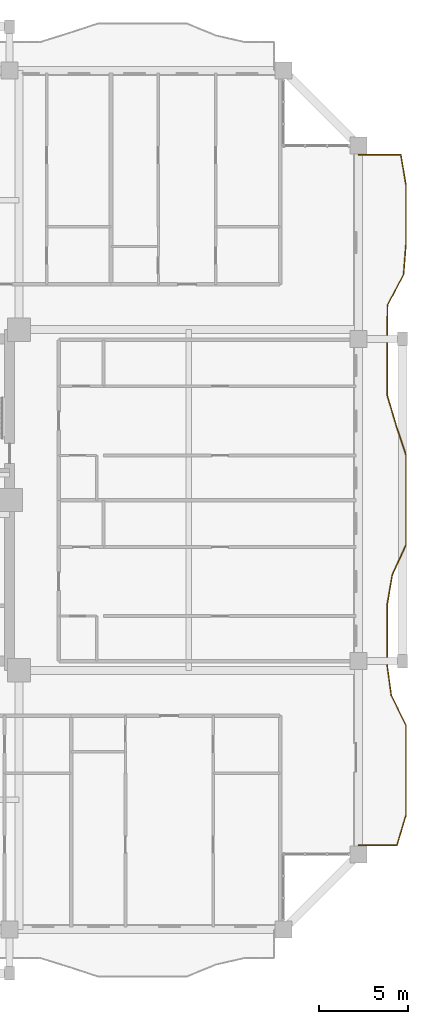
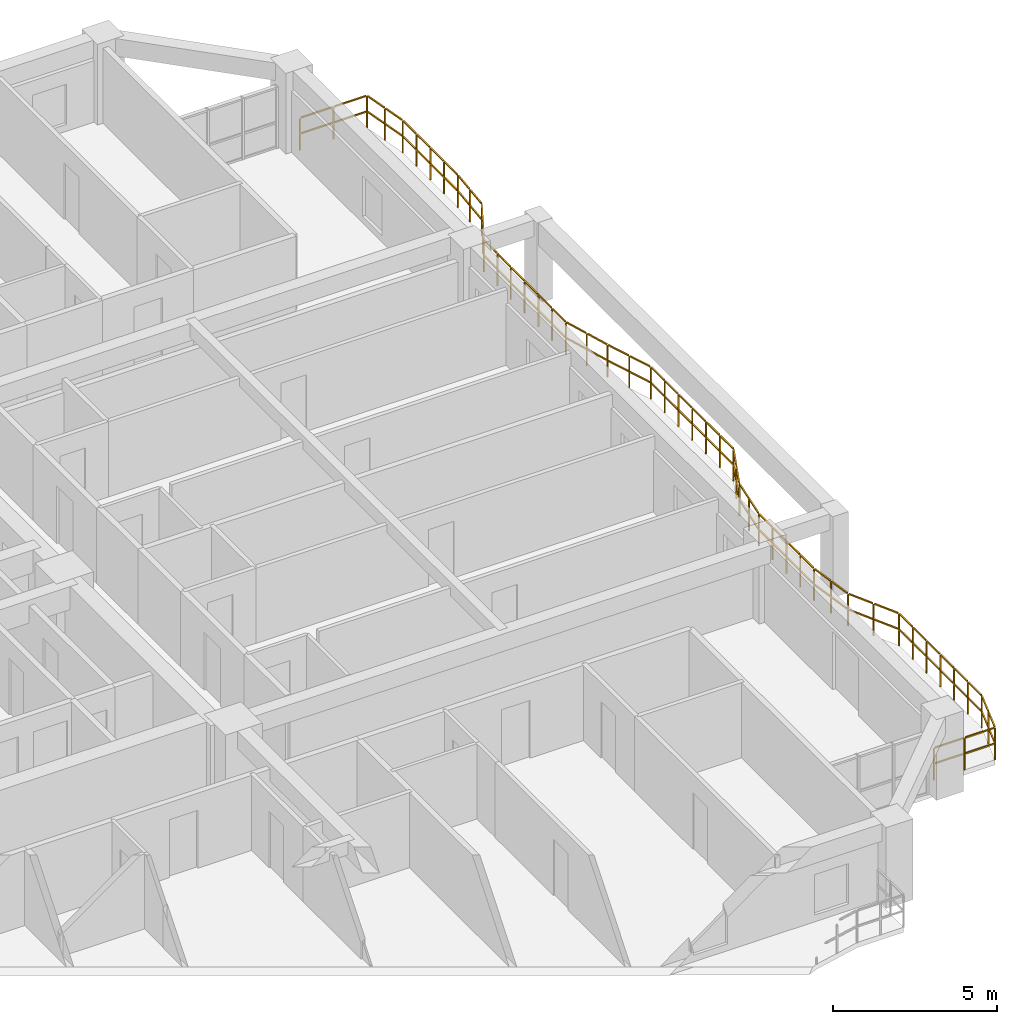
# One storey, part 25 of 26: 1 railing.
"""IFC4 building model written with IfcOpenShell, lengths in metres."""

import ifcopenshell
import ifcopenshell.guid

model = None  # the IFC model being written
_history = None  # IfcOwnerHistory: only IFC2X3 demands one
_inside = {}  # id of a spatial element -> (the spatial element, [elements in it])
_under = {}  # id of a project, library or spatial element -> (it, [spatial elements below it])
_declared = {}  # id of a project -> (the project, [libraries it declares])
_typed = {}  # id of a type object -> (the type object, [elements of that type])
_made_of = {}  # id of a material, layer set ... -> (it, [elements and type objects made of it])


def new_model(schema):
    """Start an empty IFC model of exactly this schema.

    Asked for "IFC4X3", IfcOpenShell would pick the latest addendum, in which some entities
    have other attributes; the version numbers below select the first issue.
    IFC2X3 requires an IfcOwnerHistory on every rooted entity: one is made here for all.
    """
    global model, _history
    if schema == "IFC4X3":
        model = ifcopenshell.file(schema_version=(4, 3, 0, 0))
    else:
        model = ifcopenshell.file(schema=schema)
    _inside.clear()
    _under.clear()
    _declared.clear()
    _typed.clear()
    _made_of.clear()
    _history = None
    if model.schema == "IFC2X3":
        org = make("IfcOrganization", Name="unknown")
        user = make(
            "IfcPersonAndOrganization",
            ThePerson=make("IfcPerson", FamilyName="unknown"),
            TheOrganization=org,
        )
        app = make(
            "IfcApplication",
            ApplicationDeveloper=org,
            Version="unknown",
            ApplicationFullName="unknown",
            ApplicationIdentifier="unknown",
        )
        _history = make(
            "IfcOwnerHistory",
            OwningUser=user,
            OwningApplication=app,
            ChangeAction="ADDED",
            CreationDate=0,
        )
    return model


def make(cls, **values):
    """One entity of the class cls with the attributes given. An attribute that is None is left unset."""
    return model.create_entity(
        cls, **{name: value for name, value in values.items() if value is not None}
    )


def rooted(cls, **values):
    """An entity with a GlobalId (a new one), such as an element, a storey or a relation."""
    return make(cls, GlobalId=ifcopenshell.guid.new(), OwnerHistory=_history, **values)


def si_unit(unit_type, name, prefix=None):
    """IfcSIUnit, for example si_unit("LENGTHUNIT", "METRE", prefix="MILLI")."""
    return make("IfcSIUnit", UnitType=unit_type, Prefix=prefix, Name=name)


def assignment(units):
    """IfcUnitAssignment: the units of a project."""
    return None if units is None else make("IfcUnitAssignment", Units=units)


def point(xyz):
    """IfcCartesianPoint."""
    return None if xyz is None else make("IfcCartesianPoint", Coordinates=xyz)


def direction(xyz):
    """IfcDirection."""
    return None if xyz is None else make("IfcDirection", DirectionRatios=xyz)


def frame(location, z_axis=None, x_axis=None):
    """IfcAxis2Placement3D, a coordinate frame: its origin and axes. An axis left out is left unset."""
    return make(
        "IfcAxis2Placement3D",
        Location=point(location),
        Axis=direction(z_axis),
        RefDirection=direction(x_axis),
    )


def frame_2d(location, x_axis=None):
    """IfcAxis2Placement2D, a coordinate frame in the plane: its origin and x axis."""
    return make(
        "IfcAxis2Placement2D", Location=point(location), RefDirection=direction(x_axis)
    )


def origin():
    """The frame at (0, 0, 0) with its axes left unset."""
    return frame((0.0, 0.0, 0.0))


def origin_2d():
    """The frame at (0, 0) in the plane with its x axis left unset."""
    return frame_2d((0.0, 0.0))


def place(relative_to, where):
    """IfcLocalPlacement: puts the frame where relative to a parent placement (None: the world)."""
    return make(
        "IfcLocalPlacement", PlacementRelTo=relative_to, RelativePlacement=where
    )


def context(
    kind, dimensions, precision=None, world=None, true_north=None, identifier=None
):
    """IfcGeometricRepresentationContext, for example the 3D "Model" context."""
    return make(
        "IfcGeometricRepresentationContext",
        ContextIdentifier=identifier,
        ContextType=kind,
        CoordinateSpaceDimension=dimensions,
        Precision=precision,
        WorldCoordinateSystem=world,
        TrueNorth=true_north,
    )


def subcontext(parent, identifier, kind, view, scale=None):
    """IfcGeometricRepresentationSubContext, for example "Body" below "Model"."""
    return make(
        "IfcGeometricRepresentationSubContext",
        ContextIdentifier=identifier,
        ContextType=kind,
        ParentContext=parent,
        TargetScale=scale,
        TargetView=view,
    )


def project(units=None, contexts=None):
    """IfcProject with its units and contexts."""
    return rooted(
        "IfcProject",
        Name="project",
        RepresentationContexts=contexts,
        UnitsInContext=assignment(units),
    )


def spatial(cls, under=None, at=None, **own):
    """A site, building, storey or space (cls), placed at a placement, below another one or the project."""
    s = rooted(cls, ObjectPlacement=at, **own)
    if under is not None:
        _under.setdefault(under.id(), (under, []))[1].append(s)
    return s


def profile(cls, at=None, kind="AREA", **sizes):
    """A parametric profile (cls). Its sizes go by their IFC names, for example OverallWidth=200.0."""
    return make(cls, ProfileType=kind, Position=at, **sizes)


def rectangle(**sizes):
    """IfcRectangleProfileDef."""
    return profile("IfcRectangleProfileDef", **sizes)


def extrude(swept, where, along, depth):
    """IfcExtrudedAreaSolid: the profile swept, set in the frame where, extruded along a direction by depth."""
    return make(
        "IfcExtrudedAreaSolid",
        SweptArea=swept,
        Position=where,
        ExtrudedDirection=direction(along),
        Depth=depth,
    )


def shape(context_of_items, identifier, shape_type, items):
    """IfcShapeRepresentation: the items that make up one representation, for example the "Body"."""
    return make(
        "IfcShapeRepresentation",
        ContextOfItems=context_of_items,
        RepresentationIdentifier=identifier,
        RepresentationType=shape_type,
        Items=items,
    )


def material(Name=None, Category=None):
    """IfcMaterial."""
    return make("IfcMaterial", Name=Name, Category=Category)


def made_of(thing, what):
    """Note that an element or type object is made of a material, layer set ...; save() writes the relation."""
    if what is not None:
        _made_of.setdefault(what.id(), (what, []))[1].append(thing)
    return thing


def type_object(cls, material=None, **own):
    """A type object (cls), such as IfcWallType, which elements share."""
    return made_of(rooted(cls, **own), material)


def element(
    cls,
    number,
    at=None,
    inside=None,
    cuts=None,
    type_object=None,
    material=None,
    context=None,
    identifier="Body",
    shape_type=None,
    held_by="IfcProductDefinitionShape",
    body=None,
    shapes=None,
    **own,
):
    """One element of the class cls, such as IfcWall. Its Tag is "e" and its number.

    at: its placement. inside: the storey or other place that contains it. cuts: it is an
    opening in that element (IfcRelVoidsElement). A single representation is given by context,
    identifier, shape_type and body (its items); several are given by shapes. held_by: the class
    of the entity that holds the representations. save() writes the other relations.
    """
    e = rooted(cls, Tag="e%d" % number, ObjectPlacement=at, **own)
    if body is not None:
        shapes = [shape(context, identifier, shape_type, body)]
    if shapes is not None:
        e.Representation = make(held_by, Representations=shapes)
    if inside is not None:
        _inside.setdefault(inside.id(), (inside, []))[1].append(e)
    if cuts is not None:
        rooted(
            "IfcRelVoidsElement", RelatingBuildingElement=cuts, RelatedOpeningElement=e
        )
    if type_object is not None:
        _typed.setdefault(type_object.id(), (type_object, []))[1].append(e)
    return made_of(e, material)


def aggregate(whole, parts):
    """IfcRelAggregates: a whole, such as a stair, and the parts it consists of."""
    return rooted("IfcRelAggregates", RelatingObject=whole, RelatedObjects=parts)


def save(model, path):
    """Write the relations noted so far, then the file.

    IfcRelAggregates (storeys below a building ...), IfcRelContainedInSpatialStructure (elements
    in a storey), IfcRelDefinesByType, IfcRelAssociatesMaterial and IfcRelDeclares: one each for
    every whole, place, type object, material and project.
    """
    for whole, parts in _under.values():
        aggregate(whole, parts)
    for where, things in _inside.values():
        rooted(
            "IfcRelContainedInSpatialStructure",
            RelatedElements=things,
            RelatingStructure=where,
        )
    for kind, things in _typed.values():
        rooted("IfcRelDefinesByType", RelatedObjects=things, RelatingType=kind)
    for what, things in _made_of.values():
        rooted("IfcRelAssociatesMaterial", RelatedObjects=things, RelatingMaterial=what)
    for by, libraries in _declared.values():
        rooted("IfcRelDeclares", RelatingContext=by, RelatedDefinitions=libraries)
    model.write(path)


model = new_model("IFC4")

# Units and contexts
model_context = context("Model", 3, precision=1e-05, world=origin(), true_north=direction((0.0, 1.0)))
body_context = subcontext(model_context, "Body", "Model", "MODEL_VIEW")
ifc_project = project(units=[si_unit("LENGTHUNIT", "METRE"), si_unit("AREAUNIT", "SQUARE_METRE"), si_unit("VOLUMEUNIT", "CUBIC_METRE"), si_unit("PLANEANGLEUNIT", "RADIAN"), si_unit("MASSUNIT", "GRAM", prefix="KILO")], contexts=[model_context])

# Site, building, storey
site_placement = place(None, origin())
site = spatial("IfcSite", under=ifc_project, at=site_placement, CompositionType="ELEMENT")
building_placement = place(site_placement, origin())
building = spatial("IfcBuilding", under=site, at=building_placement, Name="Saelheon Loggia Tower", CompositionType="ELEMENT")
storey_placement = place(building_placement, frame((0.0, 0.0, 89.85009765625)))
storey = spatial("IfcBuildingStorey", under=building, at=storey_placement, Name="L28", CompositionType="ELEMENT", Elevation=89.85009765625)

# Railing
ifc_material = material(Name="Architectural Precast Concrete and Laminated Glass Guard", Category="concrete")
railing_type = type_object("IfcRailingType", Name="Guard_Loggia_RL_LOG", PredefinedType="BALUSTRADE", material=ifc_material)
railing_placement = place(storey_placement, frame((64.0, 7.699951171875, 0.0)))
element("IfcRailing", 1, at=railing_placement, inside=storey, type_object=railing_type, Name="L28 East Loggia Balustrade", PredefinedType="BALUSTRADE", context=body_context, shape_type="SweptSolid", body=[
    extrude(rectangle(XDim=0.048095703125, YDim=0.048095703125, at=origin_2d()), frame((0.033203125, 0.0, 1.19580078125), z_axis=(1.0, 0.0, 0.0), x_axis=(0.0, 1.0, 0.0)), (0.0, 0.0, 1.0), 1.008544921875),
    extrude(rectangle(XDim=0.048095703125, YDim=0.048095703125, at=origin_2d()), frame((0.033203125, 0.0, 0.60986328125), z_axis=(1.0, 0.0, 0.0), x_axis=(0.0, 1.0, 0.0)), (0.0, 0.0, 1.0), 1.008544921875),
    extrude(rectangle(XDim=0.048095703125, YDim=0.048095703125, at=origin_2d()), frame((1.108154296875, 0.0, 1.19580078125), z_axis=(1.0, 0.0, 0.0), x_axis=(0.0, 1.0, 0.0)), (0.0, 0.0, 1.0), 1.008544921875),
    extrude(rectangle(XDim=0.048095703125, YDim=0.048095703125, at=origin_2d()), frame((1.108154296875, 0.0, 0.60986328125), z_axis=(1.0, 0.0, 0.0), x_axis=(0.0, 1.0, 0.0)), (0.0, 0.0, 1.0), 1.008544921875),
    extrude(rectangle(XDim=0.048095703125, YDim=0.048095703125, at=origin_2d()), frame((2.159423828125, 0.03173828125, 1.19580078125), z_axis=(0.285492932105, 0.958380814561, 0.0), x_axis=(-0.958380814561, 0.285492932105, 0.0)), (0.0, 0.0, 1.0), 0.809326171875),
    extrude(rectangle(XDim=0.048095703125, YDim=0.048095703125, at=origin_2d()), frame((2.159423828125, 0.03173828125, 0.60986328125), z_axis=(0.285492932105, 0.958380814561, 0.0), x_axis=(-0.958380814561, 0.285492932105, 0.0)), (0.0, 0.0, 1.0), 0.809326171875),
    extrude(rectangle(XDim=0.048095703125, YDim=0.048095703125, at=origin_2d()), frame((2.409423828125, 0.87109375, 1.19580078125), z_axis=(0.285492932105, 0.958380814561, 0.0), x_axis=(-0.958380814561, 0.285492932105, 0.0)), (0.0, 0.0, 1.0), 0.809326171875),
    extrude(rectangle(XDim=0.048095703125, YDim=0.048095703125, at=origin_2d()), frame((2.409423828125, 0.87109375, 0.60986328125), z_axis=(0.285492932105, 0.958380814561, 0.0), x_axis=(-0.958380814561, 0.285492932105, 0.0)), (0.0, 0.0, 1.0), 0.809326171875),
    extrude(rectangle(XDim=0.048095703125, YDim=0.048095703125, at=origin_2d()), frame((2.64990234375, 1.711669921875, 1.19580078125), z_axis=(0.0, 1.0, 0.0), x_axis=(-1.0, 0.0, 0.0)), (0.0, 0.0, 1.0), 0.7724609375),
    extrude(rectangle(XDim=0.048095703125, YDim=0.048095703125, at=origin_2d()), frame((2.64990234375, 1.711669921875, 0.60986328125), z_axis=(0.0, 1.0, 0.0), x_axis=(-1.0, 0.0, 0.0)), (0.0, 0.0, 1.0), 0.7724609375),
    extrude(rectangle(XDim=0.048095703125, YDim=0.048095703125, at=origin_2d()), frame((2.64990234375, 2.55078125, 1.19580078125), z_axis=(0.0, 1.0, 0.0), x_axis=(-1.0, 0.0, 0.0)), (0.0, 0.0, 1.0), 0.7724609375),
    extrude(rectangle(XDim=0.048095703125, YDim=0.048095703125, at=origin_2d()), frame((2.64990234375, 2.55078125, 0.60986328125), z_axis=(0.0, 1.0, 0.0), x_axis=(-1.0, 0.0, 0.0)), (0.0, 0.0, 1.0), 0.7724609375),
    extrude(rectangle(XDim=0.048095703125, YDim=0.048095703125, at=origin_2d()), frame((2.64990234375, 3.3896484375, 1.19580078125), z_axis=(0.0, 1.0, 0.0), x_axis=(-1.0, 0.0, 0.0)), (0.0, 0.0, 1.0), 0.772705078125),
    extrude(rectangle(XDim=0.048095703125, YDim=0.048095703125, at=origin_2d()), frame((2.64990234375, 3.3896484375, 0.60986328125), z_axis=(0.0, 1.0, 0.0), x_axis=(-1.0, 0.0, 0.0)), (0.0, 0.0, 1.0), 0.772705078125),
    extrude(rectangle(XDim=0.048095703125, YDim=0.048095703125, at=origin_2d()), frame((2.64990234375, 4.22900390625, 1.19580078125), z_axis=(0.0, 1.0, 0.0), x_axis=(-1.0, 0.0, 0.0)), (0.0, 0.0, 1.0), 0.772705078125),
    extrude(rectangle(XDim=0.048095703125, YDim=0.048095703125, at=origin_2d()), frame((2.64990234375, 4.22900390625, 0.60986328125), z_axis=(0.0, 1.0, 0.0), x_axis=(-1.0, 0.0, 0.0)), (0.0, 0.0, 1.0), 0.772705078125),
    extrude(rectangle(XDim=0.048095703125, YDim=0.048095703125, at=origin_2d()), frame((2.64990234375, 5.068115234375, 1.19580078125), z_axis=(0.0, 1.0, 0.0), x_axis=(-1.0, 0.0, 0.0)), (0.0, 0.0, 1.0), 0.772705078125),
    extrude(rectangle(XDim=0.048095703125, YDim=0.048095703125, at=origin_2d()), frame((2.64990234375, 5.068115234375, 0.60986328125), z_axis=(0.0, 1.0, 0.0), x_axis=(-1.0, 0.0, 0.0)), (0.0, 0.0, 1.0), 0.772705078125),
    extrude(rectangle(XDim=0.048095703125, YDim=0.048095703125, at=origin_2d()), frame((2.64990234375, 5.9072265625, 1.19580078125), z_axis=(0.0, 1.0, 0.0), x_axis=(-1.0, 0.0, 0.0)), (0.0, 0.0, 1.0), 0.772705078125),
    extrude(rectangle(XDim=0.048095703125, YDim=0.048095703125, at=origin_2d()), frame((2.64990234375, 5.9072265625, 0.60986328125), z_axis=(0.0, 1.0, 0.0), x_axis=(-1.0, 0.0, 0.0)), (0.0, 0.0, 1.0), 0.772705078125),
    extrude(rectangle(XDim=0.048095703125, YDim=0.048095703125, at=origin_2d()), frame((2.63525390625, 6.742919921875, 1.19580078125), z_axis=(-0.438299970377, 0.898828757867, 0.0), x_axis=(-0.898828757867, -0.438299970377, 0.0)), (0.0, 0.0, 1.0), 0.8671875),
    extrude(rectangle(XDim=0.048095703125, YDim=0.048095703125, at=origin_2d()), frame((2.63525390625, 6.742919921875, 0.60986328125), z_axis=(-0.438299970377, 0.898828757867, 0.0), x_axis=(-0.898828757867, -0.438299970377, 0.0)), (0.0, 0.0, 1.0), 0.8671875),
    extrude(rectangle(XDim=0.048095703125, YDim=0.048095703125, at=origin_2d()), frame((2.22607421875, 7.58203125, 1.19580078125), z_axis=(-0.438299970377, 0.898828757867, 0.0), x_axis=(-0.898828757867, -0.438299970377, 0.0)), (0.0, 0.0, 1.0), 0.8671875),
    extrude(rectangle(XDim=0.048095703125, YDim=0.048095703125, at=origin_2d()), frame((2.22607421875, 7.58203125, 0.60986328125), z_axis=(-0.438299970377, 0.898828757867, 0.0), x_axis=(-0.898828757867, -0.438299970377, 0.0)), (0.0, 0.0, 1.0), 0.8671875),
    extrude(rectangle(XDim=0.048095703125, YDim=0.048095703125, at=origin_2d()), frame((1.826904296875, 8.42431640625, 1.19580078125), z_axis=(-0.136617890743, 0.990623819585, 0.0), x_axis=(-0.990623819585, -0.136617890743, 0.0)), (0.0, 0.0, 1.0), 0.780517578125),
    extrude(rectangle(XDim=0.048095703125, YDim=0.048095703125, at=origin_2d()), frame((1.826904296875, 8.42431640625, 0.60986328125), z_axis=(-0.136617890743, 0.990623819585, 0.0), x_axis=(-0.990623819585, -0.136617890743, 0.0)), (0.0, 0.0, 1.0), 0.780517578125),
    extrude(rectangle(XDim=0.048095703125, YDim=0.048095703125, at=origin_2d()), frame((1.711181640625, 9.263427734375, 1.19580078125), z_axis=(-0.136617890743, 0.990623819585, 0.0), x_axis=(-0.990623819585, -0.136617890743, 0.0)), (0.0, 0.0, 1.0), 0.780517578125),
    extrude(rectangle(XDim=0.048095703125, YDim=0.048095703125, at=origin_2d()), frame((1.711181640625, 9.263427734375, 0.60986328125), z_axis=(-0.136617890743, 0.990623819585, 0.0), x_axis=(-0.990623819585, -0.136617890743, 0.0)), (0.0, 0.0, 1.0), 0.780517578125),
    extrude(rectangle(XDim=0.048095703125, YDim=0.048095703125, at=origin_2d()), frame((1.60009765625, 10.102783203125, 1.19580078125), z_axis=(0.0, 1.0, 0.0), x_axis=(-1.0, 0.0, 0.0)), (0.0, 0.0, 1.0), 0.772705078125),
    extrude(rectangle(XDim=0.048095703125, YDim=0.048095703125, at=origin_2d()), frame((1.60009765625, 10.102783203125, 0.60986328125), z_axis=(0.0, 1.0, 0.0), x_axis=(-1.0, 0.0, 0.0)), (0.0, 0.0, 1.0), 0.772705078125),
    extrude(rectangle(XDim=0.048095703125, YDim=0.048095703125, at=origin_2d()), frame((1.60009765625, 10.94189453125, 1.19580078125), z_axis=(0.0, 1.0, 0.0), x_axis=(-1.0, 0.0, 0.0)), (0.0, 0.0, 1.0), 0.772705078125),
    extrude(rectangle(XDim=0.048095703125, YDim=0.048095703125, at=origin_2d()), frame((1.60009765625, 10.94189453125, 0.60986328125), z_axis=(0.0, 1.0, 0.0), x_axis=(-1.0, 0.0, 0.0)), (0.0, 0.0, 1.0), 0.772705078125),
    extrude(rectangle(XDim=0.048095703125, YDim=0.048095703125, at=origin_2d()), frame((1.60009765625, 11.781005859375, 1.19580078125), z_axis=(0.0, 1.0, 0.0), x_axis=(-1.0, 0.0, 0.0)), (0.0, 0.0, 1.0), 0.772705078125),
    extrude(rectangle(XDim=0.048095703125, YDim=0.048095703125, at=origin_2d()), frame((1.60009765625, 11.781005859375, 0.60986328125), z_axis=(0.0, 1.0, 0.0), x_axis=(-1.0, 0.0, 0.0)), (0.0, 0.0, 1.0), 0.772705078125),
    extrude(rectangle(XDim=0.048095703125, YDim=0.048095703125, at=origin_2d()), frame((1.60009765625, 12.620361328125, 1.19580078125), z_axis=(0.0, 1.0, 0.0), x_axis=(-1.0, 0.0, 0.0)), (0.0, 0.0, 1.0), 0.772705078125),
    extrude(rectangle(XDim=0.048095703125, YDim=0.048095703125, at=origin_2d()), frame((1.60009765625, 12.620361328125, 0.60986328125), z_axis=(0.0, 1.0, 0.0), x_axis=(-1.0, 0.0, 0.0)), (0.0, 0.0, 1.0), 0.772705078125),
    extrude(rectangle(XDim=0.048095703125, YDim=0.048095703125, at=origin_2d()), frame((1.605712890625, 13.458984375, 1.19580078125), z_axis=(0.165864644071, 0.986148528289, 0.0), x_axis=(-0.986148528289, 0.165864644071, 0.0)), (0.0, 0.0, 1.0), 0.784423828125),
    extrude(rectangle(XDim=0.048095703125, YDim=0.048095703125, at=origin_2d()), frame((1.605712890625, 13.458984375, 0.60986328125), z_axis=(0.165864644071, 0.986148528289, 0.0), x_axis=(-0.986148528289, 0.165864644071, 0.0)), (0.0, 0.0, 1.0), 0.784423828125),
    extrude(rectangle(XDim=0.048095703125, YDim=0.048095703125, at=origin_2d()), frame((1.746826171875, 14.298095703125, 1.19580078125), z_axis=(0.165864644071, 0.986148528289, 0.0), x_axis=(-0.986148528289, 0.165864644071, 0.0)), (0.0, 0.0, 1.0), 0.784423828125),
    extrude(rectangle(XDim=0.048095703125, YDim=0.048095703125, at=origin_2d()), frame((1.746826171875, 14.298095703125, 0.60986328125), z_axis=(0.165864644071, 0.986148528289, 0.0), x_axis=(-0.986148528289, 0.165864644071, 0.0)), (0.0, 0.0, 1.0), 0.784423828125),
    extrude(rectangle(XDim=0.048095703125, YDim=0.048095703125, at=origin_2d()), frame((1.896240234375, 15.134521484375, 1.19580078125), z_axis=(0.41588480052, 0.909417303935, 0.0), x_axis=(-0.909417303935, 0.41588480052, 0.0)), (0.0, 0.0, 1.0), 0.8564453125),
    extrude(rectangle(XDim=0.048095703125, YDim=0.048095703125, at=origin_2d()), frame((1.896240234375, 15.134521484375, 0.60986328125), z_axis=(0.41588480052, 0.909417303935, 0.0), x_axis=(-0.909417303935, 0.41588480052, 0.0)), (0.0, 0.0, 1.0), 0.8564453125),
    extrude(rectangle(XDim=0.048095703125, YDim=0.048095703125, at=origin_2d()), frame((2.280029296875, 15.9736328125, 1.19580078125), z_axis=(0.41588480052, 0.909417303935, 0.0), x_axis=(-0.909417303935, 0.41588480052, 0.0)), (0.0, 0.0, 1.0), 0.8564453125),
    extrude(rectangle(XDim=0.048095703125, YDim=0.048095703125, at=origin_2d()), frame((2.280029296875, 15.9736328125, 0.60986328125), z_axis=(0.41588480052, 0.909417303935, 0.0), x_axis=(-0.909417303935, 0.41588480052, 0.0)), (0.0, 0.0, 1.0), 0.8564453125),
    extrude(rectangle(XDim=0.048095703125, YDim=0.048095703125, at=origin_2d()), frame((2.64990234375, 16.81591796875, 1.19580078125), z_axis=(0.0, 1.0, 0.0), x_axis=(-1.0, 0.0, 0.0)), (0.0, 0.0, 1.0), 0.772705078125),
    extrude(rectangle(XDim=0.048095703125, YDim=0.048095703125, at=origin_2d()), frame((2.64990234375, 16.81591796875, 0.60986328125), z_axis=(0.0, 1.0, 0.0), x_axis=(-1.0, 0.0, 0.0)), (0.0, 0.0, 1.0), 0.772705078125),
    extrude(rectangle(XDim=0.048095703125, YDim=0.048095703125, at=origin_2d()), frame((2.64990234375, 17.655029296875, 1.19580078125), z_axis=(0.0, 1.0, 0.0), x_axis=(-1.0, 0.0, 0.0)), (0.0, 0.0, 1.0), 0.772705078125),
    extrude(rectangle(XDim=0.048095703125, YDim=0.048095703125, at=origin_2d()), frame((2.64990234375, 17.655029296875, 0.60986328125), z_axis=(0.0, 1.0, 0.0), x_axis=(-1.0, 0.0, 0.0)), (0.0, 0.0, 1.0), 0.772705078125),
    extrude(rectangle(XDim=0.048095703125, YDim=0.048095703125, at=origin_2d()), frame((2.64990234375, 18.494140625, 1.19580078125), z_axis=(0.0, 1.0, 0.0), x_axis=(-1.0, 0.0, 0.0)), (0.0, 0.0, 1.0), 0.772705078125),
    extrude(rectangle(XDim=0.048095703125, YDim=0.048095703125, at=origin_2d()), frame((2.64990234375, 18.494140625, 0.60986328125), z_axis=(0.0, 1.0, 0.0), x_axis=(-1.0, 0.0, 0.0)), (0.0, 0.0, 1.0), 0.772705078125),
    extrude(rectangle(XDim=0.048095703125, YDim=0.048095703125, at=origin_2d()), frame((2.64990234375, 19.333251953125, 1.19580078125), z_axis=(0.0, 1.0, 0.0), x_axis=(-1.0, 0.0, 0.0)), (0.0, 0.0, 1.0), 0.772705078125),
    extrude(rectangle(XDim=0.048095703125, YDim=0.048095703125, at=origin_2d()), frame((2.64990234375, 19.333251953125, 0.60986328125), z_axis=(0.0, 1.0, 0.0), x_axis=(-1.0, 0.0, 0.0)), (0.0, 0.0, 1.0), 0.772705078125),
    extrude(rectangle(XDim=0.048095703125, YDim=0.048095703125, at=origin_2d()), frame((2.64990234375, 20.17236328125, 1.19580078125), z_axis=(0.0, 1.0, 0.0), x_axis=(-1.0, 0.0, 0.0)), (0.0, 0.0, 1.0), 0.772705078125),
    extrude(rectangle(XDim=0.048095703125, YDim=0.048095703125, at=origin_2d()), frame((2.64990234375, 20.17236328125, 0.60986328125), z_axis=(0.0, 1.0, 0.0), x_axis=(-1.0, 0.0, 0.0)), (0.0, 0.0, 1.0), 0.772705078125),
    extrude(rectangle(XDim=0.048095703125, YDim=0.048095703125, at=origin_2d()), frame((2.64990234375, 21.011474609375, 1.19580078125), z_axis=(0.0, 1.0, 0.0), x_axis=(-1.0, 0.0, 0.0)), (0.0, 0.0, 1.0), 0.772705078125),
    extrude(rectangle(XDim=0.048095703125, YDim=0.048095703125, at=origin_2d()), frame((2.64990234375, 21.011474609375, 0.60986328125), z_axis=(0.0, 1.0, 0.0), x_axis=(-1.0, 0.0, 0.0)), (0.0, 0.0, 1.0), 0.772705078125),
    extrude(rectangle(XDim=0.048095703125, YDim=0.048095703125, at=origin_2d()), frame((2.639404296875, 21.848876953125, 1.19580078125), z_axis=(-0.312411606213, 0.949946834461, 0.0), x_axis=(-0.949946834461, -0.312411606213, 0.0)), (0.0, 0.0, 1.0), 0.81689453125),
    extrude(rectangle(XDim=0.048095703125, YDim=0.048095703125, at=origin_2d()), frame((2.639404296875, 21.848876953125, 0.60986328125), z_axis=(-0.312411606213, 0.949946834461, 0.0), x_axis=(-0.949946834461, -0.312411606213, 0.0)), (0.0, 0.0, 1.0), 0.81689453125),
    extrude(rectangle(XDim=0.048095703125, YDim=0.048095703125, at=origin_2d()), frame((2.363525390625, 22.688232421875, 1.19580078125), z_axis=(-0.312411606213, 0.949946834461, 0.0), x_axis=(-0.949946834461, -0.312411606213, 0.0)), (0.0, 0.0, 1.0), 0.81689453125),
    extrude(rectangle(XDim=0.048095703125, YDim=0.048095703125, at=origin_2d()), frame((2.363525390625, 22.688232421875, 0.60986328125), z_axis=(-0.312411606213, 0.949946834461, 0.0), x_axis=(-0.949946834461, -0.312411606213, 0.0)), (0.0, 0.0, 1.0), 0.81689453125),
    extrude(rectangle(XDim=0.048095703125, YDim=0.048095703125, at=origin_2d()), frame((2.08837890625, 23.52783203125, 1.19580078125), z_axis=(-0.284416013132, 0.958700960401, 0.0), x_axis=(-0.958700960401, -0.284416013132, 0.0)), (0.0, 0.0, 1.0), 0.80859375),
    extrude(rectangle(XDim=0.048095703125, YDim=0.048095703125, at=origin_2d()), frame((2.08837890625, 23.52783203125, 0.60986328125), z_axis=(-0.284416013132, 0.958700960401, 0.0), x_axis=(-0.958700960401, -0.284416013132, 0.0)), (0.0, 0.0, 1.0), 0.80859375),
    extrude(rectangle(XDim=0.048095703125, YDim=0.048095703125, at=origin_2d()), frame((1.839599609375, 24.36669921875, 1.19580078125), z_axis=(-0.284416013132, 0.958700960401, 0.0), x_axis=(-0.958700960401, -0.284416013132, 0.0)), (0.0, 0.0, 1.0), 0.80859375),
    extrude(rectangle(XDim=0.048095703125, YDim=0.048095703125, at=origin_2d()), frame((1.839599609375, 24.36669921875, 0.60986328125), z_axis=(-0.284416013132, 0.958700960401, 0.0), x_axis=(-0.958700960401, -0.284416013132, 0.0)), (0.0, 0.0, 1.0), 0.80859375),
    extrude(rectangle(XDim=0.048095703125, YDim=0.048095703125, at=origin_2d()), frame((1.60009765625, 25.20703125, 1.19580078125), z_axis=(0.0, 1.0, 0.0), x_axis=(-1.0, 0.0, 0.0)), (0.0, 0.0, 1.0), 0.772705078125),
    extrude(rectangle(XDim=0.048095703125, YDim=0.048095703125, at=origin_2d()), frame((1.60009765625, 25.20703125, 0.60986328125), z_axis=(0.0, 1.0, 0.0), x_axis=(-1.0, 0.0, 0.0)), (0.0, 0.0, 1.0), 0.772705078125),
    extrude(rectangle(XDim=0.048095703125, YDim=0.048095703125, at=origin_2d()), frame((1.60009765625, 26.04638671875, 1.19580078125), z_axis=(0.0, 1.0, 0.0), x_axis=(-1.0, 0.0, 0.0)), (0.0, 0.0, 1.0), 0.772705078125),
    extrude(rectangle(XDim=0.048095703125, YDim=0.048095703125, at=origin_2d()), frame((1.60009765625, 26.04638671875, 0.60986328125), z_axis=(0.0, 1.0, 0.0), x_axis=(-1.0, 0.0, 0.0)), (0.0, 0.0, 1.0), 0.772705078125),
    extrude(rectangle(XDim=0.048095703125, YDim=0.048095703125, at=origin_2d()), frame((1.60009765625, 26.885498046875, 1.19580078125), z_axis=(0.0, 1.0, 0.0), x_axis=(-1.0, 0.0, 0.0)), (0.0, 0.0, 1.0), 0.772705078125),
    extrude(rectangle(XDim=0.048095703125, YDim=0.048095703125, at=origin_2d()), frame((1.60009765625, 26.885498046875, 0.60986328125), z_axis=(0.0, 1.0, 0.0), x_axis=(-1.0, 0.0, 0.0)), (0.0, 0.0, 1.0), 0.772705078125),
    extrude(rectangle(XDim=0.048095703125, YDim=0.048095703125, at=origin_2d()), frame((1.60009765625, 27.724609375, 1.19580078125), z_axis=(0.0, 1.0, 0.0), x_axis=(-1.0, 0.0, 0.0)), (0.0, 0.0, 1.0), 0.772705078125),
    extrude(rectangle(XDim=0.048095703125, YDim=0.048095703125, at=origin_2d()), frame((1.60009765625, 27.724609375, 0.60986328125), z_axis=(0.0, 1.0, 0.0), x_axis=(-1.0, 0.0, 0.0)), (0.0, 0.0, 1.0), 0.772705078125),
    extrude(rectangle(XDim=0.048095703125, YDim=0.048095703125, at=origin_2d()), frame((1.6005859375, 28.563720703125, 1.19580078125), z_axis=(0.014982315851, 0.999887758807, 0.0), x_axis=(-0.999887758807, 0.014982315851, 0.0)), (0.0, 0.0, 1.0), 0.772705078125),
    extrude(rectangle(XDim=0.048095703125, YDim=0.048095703125, at=origin_2d()), frame((1.6005859375, 28.563720703125, 0.60986328125), z_axis=(0.014982315851, 0.999887758807, 0.0), x_axis=(-0.999887758807, 0.014982315851, 0.0)), (0.0, 0.0, 1.0), 0.772705078125),
    extrude(rectangle(XDim=0.048095703125, YDim=0.048095703125, at=origin_2d()), frame((1.61328125, 29.40283203125, 1.19580078125), z_axis=(0.014982315851, 0.999887758807, 0.0), x_axis=(-0.999887758807, 0.014982315851, 0.0)), (0.0, 0.0, 1.0), 0.772705078125),
    extrude(rectangle(XDim=0.048095703125, YDim=0.048095703125, at=origin_2d()), frame((1.61328125, 29.40283203125, 0.60986328125), z_axis=(0.014982315851, 0.999887758807, 0.0), x_axis=(-0.999887758807, 0.014982315851, 0.0)), (0.0, 0.0, 1.0), 0.772705078125),
    extrude(rectangle(XDim=0.048095703125, YDim=0.048095703125, at=origin_2d()), frame((1.640869140625, 30.238037109375, 1.19580078125), z_axis=(0.469974960168, 0.882679747595, 0.0), x_axis=(-0.882679747595, 0.469974960168, 0.0)), (0.0, 0.0, 1.0), 0.88427734375),
    extrude(rectangle(XDim=0.048095703125, YDim=0.048095703125, at=origin_2d()), frame((1.640869140625, 30.238037109375, 0.60986328125), z_axis=(0.469974960168, 0.882679747595, 0.0), x_axis=(-0.882679747595, 0.469974960168, 0.0)), (0.0, 0.0, 1.0), 0.88427734375),
    extrude(rectangle(XDim=0.048095703125, YDim=0.048095703125, at=origin_2d()), frame((2.087646484375, 31.0771484375, 1.19580078125), z_axis=(0.469974960168, 0.882679747595, 0.0), x_axis=(-0.882679747595, 0.469974960168, 0.0)), (0.0, 0.0, 1.0), 0.88427734375),
    extrude(rectangle(XDim=0.048095703125, YDim=0.048095703125, at=origin_2d()), frame((2.087646484375, 31.0771484375, 0.60986328125), z_axis=(0.469974960168, 0.882679747595, 0.0), x_axis=(-0.882679747595, 0.469974960168, 0.0)), (0.0, 0.0, 1.0), 0.88427734375),
    extrude(rectangle(XDim=0.048095703125, YDim=0.048095703125, at=origin_2d()), frame((2.521484375, 31.920166015625, 1.19580078125), z_axis=(0.07788316248, 0.996962493277, 0.0), x_axis=(-0.996962493277, 0.07788316248, 0.0)), (0.0, 0.0, 1.0), 0.775146484375),
    extrude(rectangle(XDim=0.048095703125, YDim=0.048095703125, at=origin_2d()), frame((2.521484375, 31.920166015625, 0.60986328125), z_axis=(0.07788316248, 0.996962493277, 0.0), x_axis=(-0.996962493277, 0.07788316248, 0.0)), (0.0, 0.0, 1.0), 0.775146484375),
    extrude(rectangle(XDim=0.048095703125, YDim=0.048095703125, at=origin_2d()), frame((2.5869140625, 32.75927734375, 1.19580078125), z_axis=(0.07788316248, 0.996962493277, 0.0), x_axis=(-0.996962493277, 0.07788316248, 0.0)), (0.0, 0.0, 1.0), 0.775146484375),
    extrude(rectangle(XDim=0.048095703125, YDim=0.048095703125, at=origin_2d()), frame((2.5869140625, 32.75927734375, 0.60986328125), z_axis=(0.07788316248, 0.996962493277, 0.0), x_axis=(-0.996962493277, 0.07788316248, 0.0)), (0.0, 0.0, 1.0), 0.775146484375),
    extrude(rectangle(XDim=0.048095703125, YDim=0.048095703125, at=origin_2d()), frame((2.64990234375, 33.598388671875, 1.19580078125), z_axis=(0.0, 1.0, 0.0), x_axis=(-1.0, 0.0, 0.0)), (0.0, 0.0, 1.0), 0.772705078125),
    extrude(rectangle(XDim=0.048095703125, YDim=0.048095703125, at=origin_2d()), frame((2.64990234375, 33.598388671875, 0.60986328125), z_axis=(0.0, 1.0, 0.0), x_axis=(-1.0, 0.0, 0.0)), (0.0, 0.0, 1.0), 0.772705078125),
    extrude(rectangle(XDim=0.048095703125, YDim=0.048095703125, at=origin_2d()), frame((2.64990234375, 34.437744140625, 1.19580078125), z_axis=(0.0, 1.0, 0.0), x_axis=(-1.0, 0.0, 0.0)), (0.0, 0.0, 1.0), 0.772705078125),
    extrude(rectangle(XDim=0.048095703125, YDim=0.048095703125, at=origin_2d()), frame((2.64990234375, 34.437744140625, 0.60986328125), z_axis=(0.0, 1.0, 0.0), x_axis=(-1.0, 0.0, 0.0)), (0.0, 0.0, 1.0), 0.772705078125),
    extrude(rectangle(XDim=0.048095703125, YDim=0.048095703125, at=origin_2d()), frame((2.64990234375, 35.27685546875, 1.19580078125), z_axis=(0.0, 1.0, 0.0), x_axis=(-1.0, 0.0, 0.0)), (0.0, 0.0, 1.0), 0.7724609375),
    extrude(rectangle(XDim=0.048095703125, YDim=0.048095703125, at=origin_2d()), frame((2.64990234375, 35.27685546875, 0.60986328125), z_axis=(0.0, 1.0, 0.0), x_axis=(-1.0, 0.0, 0.0)), (0.0, 0.0, 1.0), 0.7724609375),
    extrude(rectangle(XDim=0.048095703125, YDim=0.048095703125, at=origin_2d()), frame((2.64990234375, 36.115966796875, 1.19580078125), z_axis=(0.0, 1.0, 0.0), x_axis=(-1.0, 0.0, 0.0)), (0.0, 0.0, 1.0), 0.7724609375),
    extrude(rectangle(XDim=0.048095703125, YDim=0.048095703125, at=origin_2d()), frame((2.64990234375, 36.115966796875, 0.60986328125), z_axis=(0.0, 1.0, 0.0), x_axis=(-1.0, 0.0, 0.0)), (0.0, 0.0, 1.0), 0.7724609375),
    extrude(rectangle(XDim=0.048095703125, YDim=0.048095703125, at=origin_2d()), frame((2.644287109375, 36.954345703125, 1.19580078125), z_axis=(-0.166375627522, 0.9860624476, 0.0), x_axis=(-0.9860624476, -0.166375627522, 0.0)), (0.0, 0.0, 1.0), 0.78466796875),
    extrude(rectangle(XDim=0.048095703125, YDim=0.048095703125, at=origin_2d()), frame((2.644287109375, 36.954345703125, 0.60986328125), z_axis=(-0.166375627522, 0.9860624476, 0.0), x_axis=(-0.9860624476, -0.166375627522, 0.0)), (0.0, 0.0, 1.0), 0.78466796875),
    extrude(rectangle(XDim=0.048095703125, YDim=0.048095703125, at=origin_2d()), frame((2.502685546875, 37.793701171875, 1.19580078125), z_axis=(-0.166375627522, 0.9860624476, 0.0), x_axis=(-0.9860624476, -0.166375627522, 0.0)), (0.0, 0.0, 1.0), 0.78466796875),
    extrude(rectangle(XDim=0.048095703125, YDim=0.048095703125, at=origin_2d()), frame((2.502685546875, 37.793701171875, 0.60986328125), z_axis=(-0.166375627522, 0.9860624476, 0.0), x_axis=(-0.9860624476, -0.166375627522, 0.0)), (0.0, 0.0, 1.0), 0.78466796875),
    extrude(rectangle(XDim=0.048095703125, YDim=0.048095703125, at=origin_2d()), frame((2.33349609375, 38.60009765625, 1.19580078125), z_axis=(-1.0, 0.0, 0.0), x_axis=(0.0, -1.0, 0.0)), (0.0, 0.0, 1.0), 1.116943359375),
    extrude(rectangle(XDim=0.048095703125, YDim=0.048095703125, at=origin_2d()), frame((2.33349609375, 38.60009765625, 0.60986328125), z_axis=(-1.0, 0.0, 0.0), x_axis=(0.0, -1.0, 0.0)), (0.0, 0.0, 1.0), 1.116943359375),
    extrude(rectangle(XDim=0.048095703125, YDim=0.048095703125, at=origin_2d()), frame((1.150146484375, 38.60009765625, 1.19580078125), z_axis=(-1.0, 0.0, 0.0), x_axis=(0.0, -1.0, 0.0)), (0.0, 0.0, 1.0), 1.116943359375),
    extrude(rectangle(XDim=0.048095703125, YDim=0.048095703125, at=origin_2d()), frame((1.150146484375, 38.60009765625, 0.60986328125), z_axis=(-1.0, 0.0, 0.0), x_axis=(0.0, -1.0, 0.0)), (0.0, 0.0, 1.0), 1.116943359375),
    extrude(rectangle(XDim=0.0419921875, YDim=0.0419921875, at=origin_2d()), origin(), (0.0, 0.0, 1.0), 1.16796875),
    extrude(rectangle(XDim=0.0419921875, YDim=0.0419921875, at=origin_2d()), frame((1.074951171875, 0.0, 0.0)), (0.0, 0.0, 1.0), 1.16796875),
    extrude(rectangle(XDim=0.0419921875, YDim=0.0419921875, at=origin_2d()), frame((2.14990234375, 0.0, 0.0)), (0.0, 0.0, 1.0), 1.16796875),
    extrude(rectangle(XDim=0.0419921875, YDim=0.0419921875, at=origin_2d()), frame((2.39990234375, 0.83935546875, 0.0)), (0.0, 0.0, 1.0), 1.16796875),
    extrude(rectangle(XDim=0.0419921875, YDim=0.0419921875, at=origin_2d()), frame((2.64990234375, 1.678466796875, 0.0)), (0.0, 0.0, 1.0), 1.16796875),
    extrude(rectangle(XDim=0.0419921875, YDim=0.0419921875, at=origin_2d()), frame((2.64990234375, 2.517578125, 0.0)), (0.0, 0.0, 1.0), 1.16796875),
    extrude(rectangle(XDim=0.0419921875, YDim=0.0419921875, at=origin_2d()), frame((2.64990234375, 3.3564453125, 0.0)), (0.0, 0.0, 1.0), 1.16796875),
    extrude(rectangle(XDim=0.0419921875, YDim=0.0419921875, at=origin_2d()), frame((2.64990234375, 4.19580078125, 0.0)), (0.0, 0.0, 1.0), 1.16796875),
    extrude(rectangle(XDim=0.0419921875, YDim=0.0419921875, at=origin_2d()), frame((2.64990234375, 5.034912109375, 0.0)), (0.0, 0.0, 1.0), 1.16796875),
    extrude(rectangle(XDim=0.0419921875, YDim=0.0419921875, at=origin_2d()), frame((2.64990234375, 5.8740234375, 0.0)), (0.0, 0.0, 1.0), 1.16796875),
    extrude(rectangle(XDim=0.0419921875, YDim=0.0419921875, at=origin_2d()), frame((2.64990234375, 6.713134765625, 0.0)), (0.0, 0.0, 1.0), 1.16796875),
    extrude(rectangle(XDim=0.0419921875, YDim=0.0419921875, at=origin_2d()), frame((2.24072265625, 7.55224609375, 0.0)), (0.0, 0.0, 1.0), 1.16796875),
    extrude(rectangle(XDim=0.0419921875, YDim=0.0419921875, at=origin_2d()), frame((1.83154296875, 8.391357421875, 0.0)), (0.0, 0.0, 1.0), 1.16796875),
    extrude(rectangle(XDim=0.0419921875, YDim=0.0419921875, at=origin_2d()), frame((1.7158203125, 9.23046875, 0.0)), (0.0, 0.0, 1.0), 1.16796875),
    extrude(rectangle(XDim=0.0419921875, YDim=0.0419921875, at=origin_2d()), frame((1.60009765625, 10.069580078125, 0.0)), (0.0, 0.0, 1.0), 1.16796875),
    extrude(rectangle(XDim=0.0419921875, YDim=0.0419921875, at=origin_2d()), frame((1.60009765625, 10.90869140625, 0.0)), (0.0, 0.0, 1.0), 1.16796875),
    extrude(rectangle(XDim=0.0419921875, YDim=0.0419921875, at=origin_2d()), frame((1.60009765625, 11.747802734375, 0.0)), (0.0, 0.0, 1.0), 1.16796875),
    extrude(rectangle(XDim=0.0419921875, YDim=0.0419921875, at=origin_2d()), frame((1.60009765625, 12.5869140625, 0.0)), (0.0, 0.0, 1.0), 1.16796875),
    extrude(rectangle(XDim=0.0419921875, YDim=0.0419921875, at=origin_2d()), frame((1.60009765625, 13.42626953125, 0.0)), (0.0, 0.0, 1.0), 1.16796875),
    extrude(rectangle(XDim=0.0419921875, YDim=0.0419921875, at=origin_2d()), frame((1.7412109375, 14.26513671875, 0.0)), (0.0, 0.0, 1.0), 1.16796875),
    extrude(rectangle(XDim=0.0419921875, YDim=0.0419921875, at=origin_2d()), frame((1.88232421875, 15.104248046875, 0.0)), (0.0, 0.0, 1.0), 1.16796875),
    extrude(rectangle(XDim=0.0419921875, YDim=0.0419921875, at=origin_2d()), frame((2.26611328125, 15.943359375, 0.0)), (0.0, 0.0, 1.0), 1.16796875),
    extrude(rectangle(XDim=0.0419921875, YDim=0.0419921875, at=origin_2d()), frame((2.64990234375, 16.78271484375, 0.0)), (0.0, 0.0, 1.0), 1.16796875),
    extrude(rectangle(XDim=0.0419921875, YDim=0.0419921875, at=origin_2d()), frame((2.64990234375, 17.621826171875, 0.0)), (0.0, 0.0, 1.0), 1.16796875),
    extrude(rectangle(XDim=0.0419921875, YDim=0.0419921875, at=origin_2d()), frame((2.64990234375, 18.4609375, 0.0)), (0.0, 0.0, 1.0), 1.16796875),
    extrude(rectangle(XDim=0.0419921875, YDim=0.0419921875, at=origin_2d()), frame((2.64990234375, 19.300048828125, 0.0)), (0.0, 0.0, 1.0), 1.16796875),
    extrude(rectangle(XDim=0.0419921875, YDim=0.0419921875, at=origin_2d()), frame((2.64990234375, 20.13916015625, 0.0)), (0.0, 0.0, 1.0), 1.16796875),
    extrude(rectangle(XDim=0.0419921875, YDim=0.0419921875, at=origin_2d()), frame((2.64990234375, 20.978271484375, 0.0)), (0.0, 0.0, 1.0), 1.16796875),
    extrude(rectangle(XDim=0.0419921875, YDim=0.0419921875, at=origin_2d()), frame((2.64990234375, 21.8173828125, 0.0)), (0.0, 0.0, 1.0), 1.16796875),
    extrude(rectangle(XDim=0.0419921875, YDim=0.0419921875, at=origin_2d()), frame((2.3740234375, 22.65673828125, 0.0)), (0.0, 0.0, 1.0), 1.16796875),
    extrude(rectangle(XDim=0.0419921875, YDim=0.0419921875, at=origin_2d()), frame((2.097900390625, 23.495849609375, 0.0)), (0.0, 0.0, 1.0), 1.16796875),
    extrude(rectangle(XDim=0.0419921875, YDim=0.0419921875, at=origin_2d()), frame((1.84912109375, 24.3349609375, 0.0)), (0.0, 0.0, 1.0), 1.16796875),
    extrude(rectangle(XDim=0.0419921875, YDim=0.0419921875, at=origin_2d()), frame((1.60009765625, 25.173828125, 0.0)), (0.0, 0.0, 1.0), 1.16796875),
    extrude(rectangle(XDim=0.0419921875, YDim=0.0419921875, at=origin_2d()), frame((1.60009765625, 26.01318359375, 0.0)), (0.0, 0.0, 1.0), 1.16796875),
    extrude(rectangle(XDim=0.0419921875, YDim=0.0419921875, at=origin_2d()), frame((1.60009765625, 26.852294921875, 0.0)), (0.0, 0.0, 1.0), 1.16796875),
    extrude(rectangle(XDim=0.0419921875, YDim=0.0419921875, at=origin_2d()), frame((1.60009765625, 27.69140625, 0.0)), (0.0, 0.0, 1.0), 1.16796875),
    extrude(rectangle(XDim=0.0419921875, YDim=0.0419921875, at=origin_2d()), frame((1.60009765625, 28.530517578125, 0.0)), (0.0, 0.0, 1.0), 1.16796875),
    extrude(rectangle(XDim=0.0419921875, YDim=0.0419921875, at=origin_2d()), frame((1.61279296875, 29.36962890625, 0.0)), (0.0, 0.0, 1.0), 1.16796875),
    extrude(rectangle(XDim=0.0419921875, YDim=0.0419921875, at=origin_2d()), frame((1.625244140625, 30.208740234375, 0.0)), (0.0, 0.0, 1.0), 1.16796875),
    extrude(rectangle(XDim=0.0419921875, YDim=0.0419921875, at=origin_2d()), frame((2.072021484375, 31.0478515625, 0.0)), (0.0, 0.0, 1.0), 1.16796875),
    extrude(rectangle(XDim=0.0419921875, YDim=0.0419921875, at=origin_2d()), frame((2.518798828125, 31.886962890625, 0.0)), (0.0, 0.0, 1.0), 1.16796875),
    extrude(rectangle(XDim=0.0419921875, YDim=0.0419921875, at=origin_2d()), frame((2.58447265625, 32.72607421875, 0.0)), (0.0, 0.0, 1.0), 1.16796875),
    extrude(rectangle(XDim=0.0419921875, YDim=0.0419921875, at=origin_2d()), frame((2.64990234375, 33.565185546875, 0.0)), (0.0, 0.0, 1.0), 1.16796875),
    extrude(rectangle(XDim=0.0419921875, YDim=0.0419921875, at=origin_2d()), frame((2.64990234375, 34.404296875, 0.0)), (0.0, 0.0, 1.0), 1.16796875),
    extrude(rectangle(XDim=0.0419921875, YDim=0.0419921875, at=origin_2d()), frame((2.64990234375, 35.24365234375, 0.0)), (0.0, 0.0, 1.0), 1.16796875),
    extrude(rectangle(XDim=0.0419921875, YDim=0.0419921875, at=origin_2d()), frame((2.64990234375, 36.08251953125, 0.0)), (0.0, 0.0, 1.0), 1.16796875),
    extrude(rectangle(XDim=0.0419921875, YDim=0.0419921875, at=origin_2d()), frame((2.64990234375, 36.921630859375, 0.0)), (0.0, 0.0, 1.0), 1.16796875),
    extrude(rectangle(XDim=0.0419921875, YDim=0.0419921875, at=origin_2d()), frame((2.50830078125, 37.7607421875, 0.0)), (0.0, 0.0, 1.0), 1.16796875),
    extrude(rectangle(XDim=0.0419921875, YDim=0.0419921875, at=origin_2d()), frame((2.36669921875, 38.60009765625, 0.0)), (0.0, 0.0, 1.0), 1.16796875),
    extrude(rectangle(XDim=0.0419921875, YDim=0.0419921875, at=origin_2d()), frame((1.183349609375, 38.60009765625, 0.0)), (0.0, 0.0, 1.0), 1.16796875),
    extrude(rectangle(XDim=0.0419921875, YDim=0.0419921875, at=origin_2d()), frame((0.0, 38.60009765625, 0.0)), (0.0, 0.0, 1.0), 1.16796875),
])

save(model, "model.ifc")
